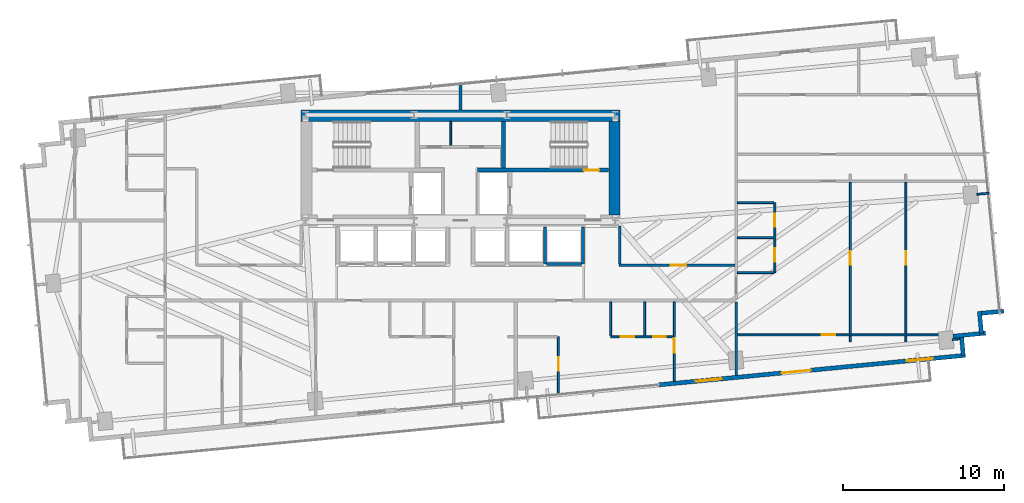
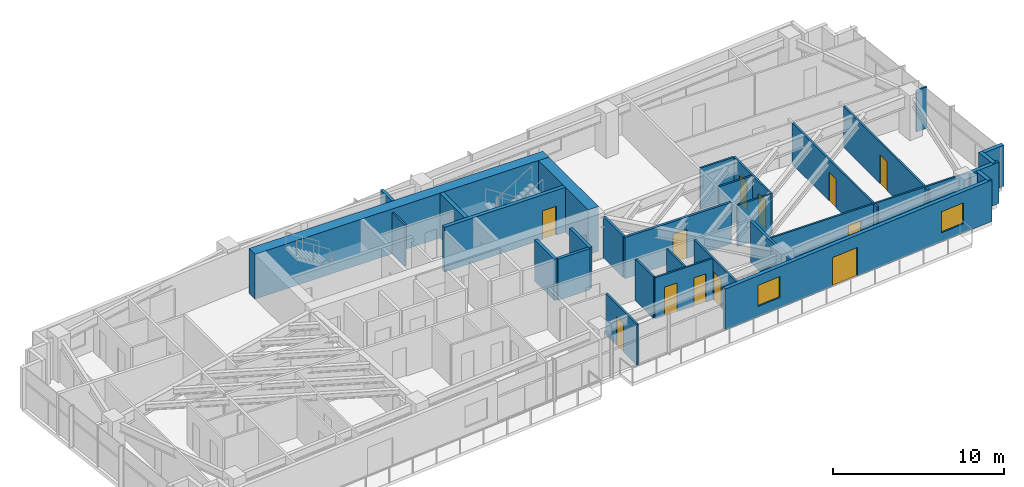
# One storey, part 23 of 27: 33 walls, 12 doors, 2 windows, 14 openings.
"""IFC4 building model written with IfcOpenShell, lengths in metres."""

from ifc_helpers import new_model, si_unit, direction, frame, frame_2d, origin, place, context, subcontext, project, spatial, rectangle, extrude, source, transform, mapped, material, layer, layer_set, type_object, type_shapes, element, fill, save


model = new_model("IFC4")

# Units and contexts
model_context = context("Model", 3, precision=1e-05, world=origin(), true_north=direction((0.0, 1.0)))
body_context = subcontext(model_context, "Body", "Model", "MODEL_VIEW")
ifc_project = project(units=[si_unit("LENGTHUNIT", "METRE"), si_unit("AREAUNIT", "SQUARE_METRE"), si_unit("VOLUMEUNIT", "CUBIC_METRE"), si_unit("PLANEANGLEUNIT", "RADIAN"), si_unit("MASSUNIT", "GRAM", prefix="KILO")], contexts=[model_context])

# Site, building, storey
site_placement = place(None, origin())
site = spatial("IfcSite", under=ifc_project, at=site_placement, CompositionType="ELEMENT")
building_placement = place(site_placement, origin())
building = spatial("IfcBuilding", under=site, at=building_placement, Name="Astriad Promenade Condominiums", CompositionType="ELEMENT")
storey_placement = place(building_placement, frame((0.0, 0.0, 87.39990234375)))
storey = spatial("IfcBuildingStorey", under=building, at=storey_placement, Name="L24", CompositionType="ELEMENT", Elevation=87.39990234375)

# Walls
ifc_material_1 = material(Name="Concrete C60/75", Category="concrete")
ifc_layer_1 = layer(ifc_material_1, 0.699951171875)
ifc_layer_set_1 = layer_set([ifc_layer_1], Name="Concrete C60/75")
wall_type_1 = type_object("IfcWallType", Name="CW-SHEAR-700", PredefinedType="SHEAR", material=ifc_layer_set_1)
wall_1_placement = place(storey_placement, frame((26.10009765625, 23.949951171875, 0.0), z_axis=(0.0, 0.0, 1.0), x_axis=(1.0, 0.0, 0.0)))
element("IfcWall", 1, at=wall_1_placement, inside=storey, type_object=wall_type_1, Name="CW-CORE-N-L24", PredefinedType="SHEAR", context=body_context, shape_type="SweptSolid", body=[
    extrude(rectangle(XDim=19.7998046875, YDim=0.699951171875, at=frame_2d((9.89990234375, 0.0))), origin(), (0.0, 0.0, 1.0), 3.2001953125),
])
wall_2_placement = place(storey_placement, frame((45.550048828125, 17.802001953125, 0.0), z_axis=(0.0, 0.0, 1.0), x_axis=(0.0, 1.0, 0.0)))
element("IfcWall", 2, at=wall_2_placement, inside=storey, type_object=wall_type_1, Name="CW-CORE-E-L24", PredefinedType="SHEAR", context=body_context, shape_type="SweptSolid", body=[
    extrude(rectangle(XDim=5.7958984375, YDim=0.699951171875, at=frame_2d((2.89794921875, 0.0))), origin(), (0.0, 0.0, 1.0), 3.2001953125),
])

# Wall, opening, door
ifc_material_2 = material(Name="Concrete C50/60", Category="concrete")
ifc_layer_2 = layer(ifc_material_2, 0.25)
ifc_layer_set_2 = layer_set([ifc_layer_2], Name="Concrete C50/60")
wall_type_2 = type_object("IfcWallType", Name="WALL-CORE-INT-250", PredefinedType="SOLIDWALL", material=ifc_layer_set_2)
wall_3_placement = place(storey_placement, frame((37.050048828125, 20.574951171875, 0.0), z_axis=(0.0, 0.0, 1.0), x_axis=(1.0, 0.0, 0.0)))
wall_3 = element("IfcWall", 3, at=wall_3_placement, inside=storey, type_object=wall_type_2, Name="CW-INT-H2-L24", PredefinedType="SOLIDWALL", context=body_context, shape_type="SweptSolid", body=[
    extrude(rectangle(XDim=8.14794921875, YDim=0.25, at=frame_2d((4.073974609375, 0.0))), origin(), (0.0, 0.0, 1.0), 3.2001953125),
])
opening_1_placement = place(wall_3_placement, frame((6.60009765625, 0.0, 0.0)))
opening_1 = element("IfcOpeningElement", 4, at=opening_1_placement, cuts=wall_3, Name="Opening FD90-ST-095", PredefinedType="OPENING", context=body_context, shape_type="SweptSolid", body=[
    extrude(rectangle(XDim=0.949951171875, YDim=2.06005859375, at=frame_2d((0.47509765625, 1.030029296875))), frame((0.0, 0.135009765625, 0.0), z_axis=(0.0, -1.0, 0.0), x_axis=(1.0, 0.0, 0.0)), (0.0, 0.0, 1.0), 0.27001953125),
])
ifc_material_3 = material(Name="Fire-Rated Hollow Metal Stair Door")
door_type_1 = type_object("IfcDoorType", Name="FD90-ST-095", OperationType="NOTDEFINED", PredefinedType="DOOR", material=ifc_material_3)
shared_shape_1 = source(origin(), body_context, "Body", "SweptSolid", [
    extrude(rectangle(XDim=0.949951171875, YDim=2.06005859375, at=frame_2d((0.47509765625, 1.030029296875))), frame((0.0, 0.02490234375, 0.0), z_axis=(0.0, -1.0, 0.0), x_axis=(1.0, 0.0, 0.0)), (0.0, 0.0, 1.0), 0.050048828125),
])
type_shapes(door_type_1, [shared_shape_1])
door_1_placement = place(opening_1_placement, origin())
door_1 = element("IfcDoor", 5, at=door_1_placement, inside=storey, type_object=door_type_1, Name="D-ST2-L24", OperationType="SINGLE_SWING_LEFT", OverallHeight=2.06005859375, OverallWidth=0.949951171875, PredefinedType="DOOR", context=body_context, shape_type="MappedRepresentation", body=[
    mapped(shared_shape_1, transform((0.0, 0.0, 0.0), scale=1.0)),
])
fill(opening_1, door_1)

# Walls
wall_4_placement = place(storey_placement, frame((38.675048828125, 20.701904296875, 0.0), z_axis=(0.0, 0.0, 1.0), x_axis=(0.0, 1.0, 0.0)))
element("IfcWall", 6, at=wall_4_placement, inside=storey, type_object=wall_type_2, Name="CW-ST2-W-L24", PredefinedType="SOLIDWALL", context=body_context, shape_type="SweptSolid", body=[
    extrude(rectangle(XDim=2.89599609375, YDim=0.25, at=frame_2d((1.447998046875, 0.0))), origin(), (0.0, 0.0, 1.0), 3.2001953125),
])
ifc_material_4 = material(Name="Fire-Rated Gypsum Partition")
ifc_layer_3 = layer(ifc_material_4, 0.159912109375)
ifc_layer_set_3 = layer_set([ifc_layer_3], Name="Fire-Rated Gypsum Partition")
wall_type_3 = type_object("IfcWallType", Name="WALL-CORR-160", PredefinedType="PARTITIONING", material=ifc_layer_set_3)
wall_5_placement = place(storey_placement, frame((53.10009765625, 7.85546875, 0.0), z_axis=(0.0, 0.0, 1.0), x_axis=(0.0, 1.0, 0.0)))
element("IfcWall", 7, at=wall_5_placement, inside=storey, type_object=wall_type_3, Name="PT-COR-E-L24", PredefinedType="PARTITIONING", context=body_context, shape_type="SweptSolid", body=[
    extrude(rectangle(XDim=4.552490234375, YDim=0.159912109375, at=frame_2d((2.2763671875, 0.0))), origin(), (0.0, 0.0, 1.0), 2.940185546875),
])

# Wall, opening, door
wall_6_placement = place(storey_placement, frame((45.840087890625, 14.679931640625, 0.0), z_axis=(0.0, 0.0, 1.0), x_axis=(1.0, 0.0, 0.0)))
wall_6 = element("IfcWall", 8, at=wall_6_placement, inside=storey, type_object=wall_type_3, Name="PT-FLK-NE-L24", PredefinedType="PARTITIONING", context=body_context, shape_type="SweptSolid", body=[
    extrude(rectangle(XDim=7.177978515625, YDim=0.159912109375, at=frame_2d((3.5888671875, 0.0))), origin(), (0.0, 0.0, 1.0), 2.940185546875),
])
opening_2_placement = place(wall_6_placement, frame((3.215087890625, 0.0, 0.0)))
opening_2 = element("IfcOpeningElement", 9, at=opening_2_placement, cuts=wall_6, Name="Opening FD60-APT-095", PredefinedType="OPENING", context=body_context, shape_type="SweptSolid", body=[
    extrude(rectangle(XDim=0.949951171875, YDim=2.06005859375, at=frame_2d((0.47509765625, 1.030029296875))), frame((0.0, 0.08984375, 0.0), z_axis=(0.0, -1.0, 0.0), x_axis=(1.0, 0.0, 0.0)), (0.0, 0.0, 1.0), 0.179931640625),
])
ifc_material_5 = material(Name="Solid-Core Acoustic Timber Residence Entry Door", Category="wood")
door_type_2 = type_object("IfcDoorType", Name="FD60-APT-095", OperationType="NOTDEFINED", PredefinedType="DOOR", material=ifc_material_5)
shared_shape_2 = source(origin(), body_context, "Body", "SweptSolid", [
    extrude(rectangle(XDim=0.949951171875, YDim=2.06005859375, at=frame_2d((0.47509765625, 1.030029296875))), frame((0.0, 0.02490234375, 0.0), z_axis=(0.0, -1.0, 0.0), x_axis=(1.0, 0.0, 0.0)), (0.0, 0.0, 1.0), 0.050048828125),
])
type_shapes(door_type_2, [shared_shape_2])
door_2_placement = place(opening_2_placement, origin())
door_2 = element("IfcDoor", 10, at=door_2_placement, inside=storey, type_object=door_type_2, Name="D-NEA-L24", OperationType="SINGLE_SWING_LEFT", OverallHeight=2.06005859375, OverallWidth=0.949951171875, PredefinedType="DOOR", context=body_context, shape_type="MappedRepresentation", body=[
    mapped(shared_shape_2, transform((0.0, 0.0, 0.0), scale=1.0)),
])
fill(opening_2, door_2)

# Walls
wall_7_placement = place(storey_placement, frame((45.8798828125, 14.761962890625, 0.0), z_axis=(0.0, 0.0, 1.0), x_axis=(0.0, 1.0, 0.0)))
element("IfcWall", 11, at=wall_7_placement, inside=storey, type_object=wall_type_3, Name="PT-ESPUR-E-L24", PredefinedType="PARTITIONING", context=body_context, shape_type="SweptSolid", body=[
    extrude(rectangle(XDim=2.3359375, YDim=0.159912109375, at=frame_2d((1.16796875, 0.0))), origin(), (0.0, 0.0, 1.0), 2.940185546875),
])
ifc_material_6 = material(Name="Acoustic Double-Stud Gypsum Partition")
ifc_layer_4 = layer(ifc_material_6, 0.199951171875)
ifc_layer_set_4 = layer_set([ifc_layer_4], Name="Acoustic Double-Stud Gypsum Partition")
wall_type_4 = type_object("IfcWallType", Name="WALL-DEMISING-200", PredefinedType="PARTITIONING", material=ifc_layer_set_4)
wall_8_placement = place(storey_placement, frame((36.0, 24.302001953125, 0.0), z_axis=(0.0, 0.0, 1.0), x_axis=(0.0, 1.0, 0.0)))
element("IfcWall", 12, at=wall_8_placement, inside=storey, type_object=wall_type_4, Name="PT-NC-MID-L24", PredefinedType="PARTITIONING", context=body_context, shape_type="SweptSolid", body=[
    extrude(rectangle(XDim=1.65576171875, YDim=0.199951171875, at=frame_2d((0.827880859375, 0.0))), origin(), (0.0, 0.0, 1.0), 2.940185546875),
])
ifc_material_7 = material(Name="Precast concrete C50/60", Category="concrete")
ifc_layer_5 = layer(ifc_material_7, 0.260009765625)
ifc_layer_set_5 = layer_set([ifc_layer_5], Name="Precast concrete C50/60")
wall_type_5 = type_object("IfcWallType", Name="WALL-EXT-TWR-260", PredefinedType="STANDARD", material=ifc_layer_set_5)
for number, where, z_axis, x_axis, name in (
    (13, (69.698486328125, 11.83251953125, 0.0), (0.0, 0.0, 1.0), (-0.99540614245, -0.095742423056, 0.0), "W-SER-L24-14"),
    (14, (68.18310546875, 11.817138671875, 0.0), (0.0, 0.0, 1.0), (0.095915846097, -0.995389446633, 0.0), "W-SER-L24-15"),
):
    element("IfcWall", number, at=place(storey_placement, frame(where, z_axis=z_axis, x_axis=x_axis)), inside=storey, type_object=wall_type_5, Name=name, PredefinedType="STANDARD", context=body_context, shape_type="SweptSolid", body=[
        extrude(rectangle(XDim=1.394775390625, YDim=0.260009765625, at=frame_2d((0.697265625, 0.0))), origin(), (0.0, 0.0, 1.0), 2.940185546875),
    ])
wall_9_placement = place(storey_placement, frame((68.57421875, 10.468505859375, 0.0), z_axis=(0.0, 0.0, 1.0), x_axis=(-0.99539865733, -0.095820211783, 0.0)))
element("IfcWall", 15, at=wall_9_placement, inside=storey, type_object=wall_type_5, Name="W-SER-L24-16", PredefinedType="STANDARD", context=body_context, shape_type="SweptSolid", body=[
    extrude(rectangle(XDim=2.028076171875, YDim=0.260009765625, at=frame_2d((1.01416015625, 0.0))), origin(), (0.0, 0.0, 1.0), 2.940185546875),
])
wall_10_placement = place(storey_placement, frame((67.082275390625, 10.209228515625, 0.0), z_axis=(0.0, 0.0, 1.0), x_axis=(0.09576095695, -0.995404359607, 0.0)))
element("IfcWall", 16, at=wall_10_placement, inside=storey, type_object=wall_type_5, Name="W-SER-L24-17", PredefinedType="STANDARD", context=body_context, shape_type="SweptSolid", body=[
    extrude(rectangle(XDim=1.14990234375, YDim=0.260009765625, at=frame_2d((0.574951171875, 0.0))), origin(), (0.0, 0.0, 1.0), 2.940185546875),
])

# Wall, openings, door, windows
wall_11_placement = place(storey_placement, frame((67.3203125, 9.092041015625, 0.0), z_axis=(0.0, 0.0, 1.0), x_axis=(-0.995396521236, -0.095842399342, 0.0)))
wall_11 = element("IfcWall", 17, at=wall_11_placement, inside=storey, type_object=wall_type_5, Name="W-EXT-L24-S1", PredefinedType="STANDARD", context=body_context, shape_type="SweptSolid", body=[
    extrude(rectangle(XDim=19.10986328125, YDim=0.260009765625, at=frame_2d((9.554931640625, 0.0))), origin(), (0.0, 0.0, 1.0), 2.940185546875),
])
opening_3_placement = place(wall_11_placement, frame((9.65087890625, 0.0, 0.0)))
opening_3 = element("IfcOpeningElement", 18, at=opening_3_placement, cuts=wall_11, Name="Opening BD-1822-SLD", PredefinedType="OPENING", context=body_context, shape_type="SweptSolid", body=[
    extrude(rectangle(XDim=1.800048828125, YDim=2.06005859375, at=frame_2d((0.89990234375, 1.030029296875))), frame((0.0, 0.139892578125, 0.0), z_axis=(0.0, -1.0, 0.0), x_axis=(1.0, 0.0, 0.0)), (0.0, 0.0, 1.0), 0.280029296875),
])
opening_4_placement = place(wall_11_placement, frame((2.050048828125, 0.0, 0.64990234375)))
opening_4 = element("IfcOpeningElement", 19, at=opening_4_placement, cuts=wall_11, Name="Opening WIN-TWR-1620", PredefinedType="OPENING", context=body_context, shape_type="SweptSolid", body=[
    extrude(rectangle(XDim=1.60009765625, YDim=1.5, at=frame_2d((0.800048828125, 0.75))), frame((0.0, 0.139892578125, 0.0), z_axis=(0.0, -1.0, 0.0), x_axis=(1.0, 0.0, 0.0)), (0.0, 0.0, 1.0), 0.280029296875),
])
opening_5_placement = place(wall_11_placement, frame((15.197998046875, 0.0, 0.75)))
opening_5 = element("IfcOpeningElement", 20, at=opening_5_placement, cuts=wall_11, Name="Opening WIN-TWR-1620", PredefinedType="OPENING", context=body_context, shape_type="SweptSolid", body=[
    extrude(rectangle(XDim=1.60009765625, YDim=1.5, at=frame_2d((0.800048828125, 0.75))), frame((0.0, 0.139892578125, 0.0), z_axis=(0.0, -1.0, 0.0), x_axis=(1.0, 0.0, 0.0)), (0.0, 0.0, 1.0), 0.280029296875),
])
ifc_material_8 = material(Name="Thermally Broken Aluminium Sliding Balcony Door", Category="aluminium")
door_type_3 = type_object("IfcDoorType", Name="BD-1822-SLD", OperationType="NOTDEFINED", PredefinedType="DOOR", material=ifc_material_8)
shared_shape_3 = source(origin(), body_context, "Body", "SweptSolid", [
    extrude(rectangle(XDim=1.800048828125, YDim=2.06005859375, at=frame_2d((0.89990234375, 1.030029296875))), frame((0.0, 0.02490234375, 0.0), z_axis=(0.0, -1.0, 0.0), x_axis=(1.0, 0.0, 0.0)), (0.0, 0.0, 1.0), 0.050048828125),
])
type_shapes(door_type_3, [shared_shape_3])
door_3_placement = place(opening_3_placement, origin())
door_3 = element("IfcDoor", 21, at=door_3_placement, inside=storey, type_object=door_type_3, Name="BD-L24-SE", OperationType="SLIDING_TO_RIGHT", OverallHeight=2.06005859375, OverallWidth=1.800048828125, PredefinedType="DOOR", context=body_context, shape_type="MappedRepresentation", body=[
    mapped(shared_shape_3, transform((0.0, 0.0, 0.0), scale=1.0)),
])
fill(opening_3, door_3)
ifc_material_9 = material(Name="Dark Tinted Triple-Glazed Aluminium Window", Category="aluminium")
window_type = type_object("IfcWindowType", Name="WIN-TWR-1620", PartitioningType="SINGLE_PANEL", PredefinedType="WINDOW", material=ifc_material_9)
shared_shape_4 = source(origin(), body_context, "Body", "SweptSolid", [
    extrude(rectangle(XDim=1.60009765625, YDim=1.5, at=frame_2d((0.800048828125, 0.75))), frame((0.0, 0.030029296875, 0.0), z_axis=(0.0, -1.0, 0.0), x_axis=(1.0, 0.0, 0.0)), (0.0, 0.0, 1.0), 0.06005859375),
])
type_shapes(window_type, [shared_shape_4])
window_1_placement = place(opening_4_placement, origin())
window_1 = element("IfcWindow", 22, at=window_1_placement, inside=storey, type_object=window_type, Name="WIN-L24-SE", OverallHeight=1.5, OverallWidth=1.60009765625, PartitioningType="SINGLE_PANEL", PredefinedType="WINDOW", context=body_context, shape_type="MappedRepresentation", body=[
    mapped(shared_shape_4, transform((0.0, 0.0, 0.0), scale=1.0)),
])
fill(opening_4, window_1)
window_2_placement = place(opening_5_placement, origin())
window_2 = element("IfcWindow", 23, at=window_2_placement, inside=storey, type_object=window_type, Name="WIN-DW-L24-S2-BD1", OverallHeight=1.5, OverallWidth=1.60009765625, PartitioningType="SINGLE_PANEL", PredefinedType="WINDOW", context=body_context, shape_type="MappedRepresentation", body=[
    mapped(shared_shape_4, transform((0.0, 0.0, 0.0), scale=1.0)),
])
fill(opening_5, window_2)

# Wall
ifc_material_10 = material(Name="Acoustic Metal-Stud Gypsum Partition")
ifc_layer_6 = layer(ifc_material_10, 0.1201171875)
ifc_layer_set_6 = layer_set([ifc_layer_6], Name="Acoustic Metal-Stud Gypsum Partition")
wall_type_6 = type_object("IfcWallType", Name="WALL-PART-120", PredefinedType="PARTITIONING", material=ifc_layer_set_6)
wall_12_placement = place(storey_placement, frame((35.39990234375, 22.112060546875, 0.0), z_axis=(0.0, 0.0, 1.0), x_axis=(0.0, 1.0, 0.0)))
element("IfcWall", 24, at=wall_12_placement, inside=storey, type_object=wall_type_6, Name="CW-AUX-V1-L24", PredefinedType="PARTITIONING", context=body_context, shape_type="SweptSolid", body=[
    extrude(rectangle(XDim=1.48583984375, YDim=0.1201171875, at=frame_2d((0.742919921875, 0.0))), origin(), (0.0, 0.0, 1.0), 2.940185546875),
])

# Wall, opening, door
wall_13_placement = place(storey_placement, frame((49.27001953125, 7.486572265625, 0.0), z_axis=(0.0, 0.0, 1.0), x_axis=(0.0, 1.0, 0.0)))
wall_13 = element("IfcWall", 25, at=wall_13_placement, inside=storey, type_object=wall_type_6, Name="PT-L24-S2-BD1", PredefinedType="PARTITIONING", context=body_context, shape_type="SweptSolid", body=[
    extrude(rectangle(XDim=4.92138671875, YDim=0.1201171875, at=frame_2d((2.460693359375, 0.0))), origin(), (0.0, 0.0, 1.0), 2.940185546875),
])
opening_6_placement = place(wall_13_placement, frame((1.75244140625, 0.0, 0.0)))
opening_6 = element("IfcOpeningElement", 26, at=opening_6_placement, cuts=wall_13, Name="Opening D-INT-090", PredefinedType="OPENING", context=body_context, shape_type="SweptSolid", body=[
    extrude(rectangle(XDim=0.89990234375, YDim=2.050048828125, at=frame_2d((0.449951171875, 1.02490234375))), frame((0.0, 0.070068359375, 0.0), z_axis=(0.0, -1.0, 0.0), x_axis=(1.0, 0.0, 0.0)), (0.0, 0.0, 1.0), 0.14013671875),
])
ifc_material_11 = material(Name="Painted Solid-Core Timber Bedroom Door", Category="wood")
door_type_4 = type_object("IfcDoorType", Name="D-INT-090", OperationType="NOTDEFINED", PredefinedType="DOOR", material=ifc_material_11)
shared_shape_5 = source(origin(), body_context, "Body", "SweptSolid", [
    extrude(rectangle(XDim=0.89990234375, YDim=2.050048828125, at=frame_2d((0.449951171875, 1.02490234375))), frame((0.0, 0.02490234375, 0.0), z_axis=(0.0, -1.0, 0.0), x_axis=(1.0, 0.0, 0.0)), (0.0, 0.0, 1.0), 0.050048828125),
])
type_shapes(door_type_4, [shared_shape_5])
door_4_placement = place(opening_6_placement, origin())
door_4 = element("IfcDoor", 27, at=door_4_placement, inside=storey, type_object=door_type_4, Name="D-BD1-L24-S2", OperationType="SINGLE_SWING_LEFT", OverallHeight=2.050048828125, OverallWidth=0.89990234375, PredefinedType="DOOR", context=body_context, shape_type="MappedRepresentation", body=[
    mapped(shared_shape_5, transform((0.0, 0.0, 0.0), scale=1.0)),
])
fill(opening_6, door_4)

# Wall, openings, doors
wall_14_placement = place(storey_placement, frame((45.320068359375, 10.239990234375, 0.0), z_axis=(0.0, 0.0, 1.0), x_axis=(1.0, 0.0, 0.0)))
wall_14 = element("IfcWall", 28, at=wall_14_placement, inside=storey, type_object=wall_type_6, Name="PT-L24-S2-PS", PredefinedType="PARTITIONING", context=body_context, shape_type="SweptSolid", body=[
    extrude(rectangle(XDim=3.887939453125, YDim=0.1201171875, at=frame_2d((1.94384765625, 0.0))), origin(), (0.0, 0.0, 1.0), 2.940185546875),
])
opening_7_placement = place(wall_14_placement, frame((0.625, 0.0, 0.0)))
opening_7 = element("IfcOpeningElement", 29, at=opening_7_placement, cuts=wall_14, Name="Opening D-INT-085", PredefinedType="OPENING", context=body_context, shape_type="SweptSolid", body=[
    extrude(rectangle(XDim=0.85009765625, YDim=2.050048828125, at=frame_2d((0.425048828125, 1.02490234375))), frame((0.0, 0.070068359375, 0.0), z_axis=(0.0, -1.0, 0.0), x_axis=(1.0, 0.0, 0.0)), (0.0, 0.0, 1.0), 0.14013671875),
])
opening_8_placement = place(wall_14_placement, frame((2.625, 0.0, 0.0)))
opening_8 = element("IfcOpeningElement", 30, at=opening_8_placement, cuts=wall_14, Name="Opening D-WET-080", PredefinedType="OPENING", context=body_context, shape_type="SweptSolid", body=[
    extrude(rectangle(XDim=0.800048828125, YDim=2.02001953125, at=frame_2d((0.39990234375, 1.010009765625))), frame((0.0, 0.070068359375, 0.0), z_axis=(0.0, -1.0, 0.0), x_axis=(1.0, 0.0, 0.0)), (0.0, 0.0, 1.0), 0.14013671875),
])
ifc_material_12 = material(Name="Moisture-Resistant Timber Bathroom Door", Category="wood")
door_type_5 = type_object("IfcDoorType", Name="D-WET-080", OperationType="NOTDEFINED", PredefinedType="DOOR", material=ifc_material_12)
shared_shape_6 = source(origin(), body_context, "Body", "SweptSolid", [
    extrude(rectangle(XDim=0.800048828125, YDim=2.02001953125, at=frame_2d((0.39990234375, 1.010009765625))), frame((0.0, 0.02490234375, 0.0), z_axis=(0.0, -1.0, 0.0), x_axis=(1.0, 0.0, 0.0)), (0.0, 0.0, 1.0), 0.050048828125),
])
type_shapes(door_type_5, [shared_shape_6])
door_5_placement = place(opening_8_placement, origin())
door_5 = element("IfcDoor", 31, at=door_5_placement, inside=storey, type_object=door_type_5, Name="D-BTH-L24-S2", OperationType="SINGLE_SWING_LEFT", OverallHeight=2.02001953125, OverallWidth=0.800048828125, PredefinedType="DOOR", context=body_context, shape_type="MappedRepresentation", body=[
    mapped(shared_shape_6, transform((0.0, 0.0, 0.0), scale=1.0)),
])
fill(opening_8, door_5)
ifc_material_13 = material(Name="Painted Solid-Core Timber Room Door", Category="wood")
door_type_6 = type_object("IfcDoorType", Name="D-INT-085", OperationType="NOTDEFINED", PredefinedType="DOOR", material=ifc_material_13)
shared_shape_7 = source(origin(), body_context, "Body", "SweptSolid", [
    extrude(rectangle(XDim=0.85009765625, YDim=2.050048828125, at=frame_2d((0.425048828125, 1.02490234375))), frame((0.0, 0.02490234375, 0.0), z_axis=(0.0, -1.0, 0.0), x_axis=(1.0, 0.0, 0.0)), (0.0, 0.0, 1.0), 0.050048828125),
])
type_shapes(door_type_6, [shared_shape_7])
door_6_placement = place(opening_7_placement, origin())
door_6 = element("IfcDoor", 32, at=door_6_placement, inside=storey, type_object=door_type_6, Name="D-KIT-L24-S2", OperationType="SINGLE_SWING_RIGHT", OverallHeight=2.050048828125, OverallWidth=0.85009765625, PredefinedType="DOOR", context=body_context, shape_type="MappedRepresentation", body=[
    mapped(shared_shape_7, transform((0.0, 0.0, 0.0), scale=1.0)),
])
fill(opening_7, door_6)

# Walls
for number, where, z_axis, x_axis, name in (
    (33, (47.419921875, 10.302001953125, 0.0), (0.0, 0.0, 1.0), (0.0, 1.0, 0.0), "PT-L24-S2-PBK"),
    (34, (45.320068359375, 10.302001953125, 0.0), (0.0, 0.0, 1.0), (0.0, 1.0, 0.0), "PT-L24-S2-PKW"),
):
    element("IfcWall", number, at=place(storey_placement, frame(where, z_axis=z_axis, x_axis=x_axis)), inside=storey, type_object=wall_type_6, Name=name, PredefinedType="PARTITIONING", context=body_context, shape_type="SweptSolid", body=[
        extrude(rectangle(XDim=2.10595703125, YDim=0.1201171875, at=frame_2d((1.052978515625, 0.0))), origin(), (0.0, 0.0, 1.0), 2.940185546875),
    ])

# Wall, opening, door
wall_15_placement = place(storey_placement, frame((42.077880859375, 6.611083984375, 0.0), z_axis=(0.0, 0.0, 1.0), x_axis=(0.0, 1.0, 0.0)))
wall_15 = element("IfcWall", 35, at=wall_15_placement, inside=storey, type_object=wall_type_6, Name="PT-L24-S2-EXV", PredefinedType="PARTITIONING", context=body_context, shape_type="SweptSolid", body=[
    extrude(rectangle(XDim=3.62890625, YDim=0.1201171875, at=frame_2d((1.814453125, 0.0))), origin(), (0.0, 0.0, 1.0), 2.940185546875),
])
opening_9_placement = place(wall_15_placement, frame((1.52685546875, 0.0, 0.0)))
opening_9 = element("IfcOpeningElement", 36, at=opening_9_placement, cuts=wall_15, Name="Opening D-INT-085", PredefinedType="OPENING", context=body_context, shape_type="SweptSolid", body=[
    extrude(rectangle(XDim=0.85009765625, YDim=2.050048828125, at=frame_2d((0.425048828125, 1.02490234375))), frame((0.0, 0.070068359375, 0.0), z_axis=(0.0, -1.0, 0.0), x_axis=(1.0, 0.0, 0.0)), (0.0, 0.0, 1.0), 0.14013671875),
])
door_7_placement = place(opening_9_placement, origin())
door_7 = element("IfcDoor", 37, at=door_7_placement, inside=storey, type_object=door_type_6, Name="D-EX-L24-S2", OperationType="SINGLE_SWING_LEFT", OverallHeight=2.050048828125, OverallWidth=0.85009765625, PredefinedType="DOOR", context=body_context, shape_type="MappedRepresentation", body=[
    mapped(shared_shape_7, transform((0.0, 0.0, 0.0), scale=1.0)),
])
fill(opening_9, door_7)

# Wall, openings, doors
wall_16_placement = place(storey_placement, frame((55.5, 14.217041015625, 0.0), z_axis=(0.0, 0.0, 1.0), x_axis=(0.0, 1.0, 0.0)))
wall_16 = element("IfcWall", 38, at=wall_16_placement, inside=storey, type_object=wall_type_6, Name="PT-L24-E1-PV", PredefinedType="PARTITIONING", context=body_context, shape_type="SweptSolid", body=[
    extrude(rectangle(XDim=4.349853515625, YDim=0.1201171875, at=frame_2d((2.1748046875, 0.0))), origin(), (0.0, 0.0, 1.0), 2.940185546875),
])
opening_10_placement = place(wall_16_placement, frame((0.6630859375, 0.0, 0.0)))
opening_10 = element("IfcOpeningElement", 39, at=opening_10_placement, cuts=wall_16, Name="Opening D-INT-085", PredefinedType="OPENING", context=body_context, shape_type="SweptSolid", body=[
    extrude(rectangle(XDim=0.85009765625, YDim=2.050048828125, at=frame_2d((0.425048828125, 1.02490234375))), frame((0.0, 0.070068359375, 0.0), z_axis=(0.0, -1.0, 0.0), x_axis=(1.0, 0.0, 0.0)), (0.0, 0.0, 1.0), 0.14013671875),
])
opening_11_placement = place(wall_16_placement, frame((2.863037109375, 0.0, 0.0)))
opening_11 = element("IfcOpeningElement", 40, at=opening_11_placement, cuts=wall_16, Name="Opening D-WET-080", PredefinedType="OPENING", context=body_context, shape_type="SweptSolid", body=[
    extrude(rectangle(XDim=0.800048828125, YDim=2.02001953125, at=frame_2d((0.39990234375, 1.010009765625))), frame((0.0, 0.070068359375, 0.0), z_axis=(0.0, -1.0, 0.0), x_axis=(1.0, 0.0, 0.0)), (0.0, 0.0, 1.0), 0.14013671875),
])
door_8_placement = place(opening_11_placement, origin())
door_8 = element("IfcDoor", 41, at=door_8_placement, inside=storey, type_object=door_type_5, Name="D-BTH-L24-E1", OperationType="SINGLE_SWING_RIGHT", OverallHeight=2.02001953125, OverallWidth=0.800048828125, PredefinedType="DOOR", context=body_context, shape_type="MappedRepresentation", body=[
    mapped(shared_shape_6, transform((0.0, 0.0, 0.0), scale=1.0)),
])
fill(opening_11, door_8)
door_9_placement = place(opening_10_placement, origin())
door_9 = element("IfcDoor", 42, at=door_9_placement, inside=storey, type_object=door_type_6, Name="D-KIT-L24-E1", OperationType="SINGLE_SWING_LEFT", OverallHeight=2.050048828125, OverallWidth=0.85009765625, PredefinedType="DOOR", context=body_context, shape_type="MappedRepresentation", body=[
    mapped(shared_shape_7, transform((0.0, 0.0, 0.0), scale=1.0)),
])
fill(opening_10, door_9)

# Walls
for number, where, z_axis, x_axis, name in (
    (43, (53.181884765625, 16.39208984375, 0.0), (0.0, 0.0, 1.0), (1.0, 0.0, 0.0), "PT-L24-E1-PM"),
    (44, (53.181884765625, 14.217041015625, 0.0), (0.0, 0.0, 1.0), (1.0, 0.0, 0.0), "PT-L24-E1-PS"),
    (45, (53.181884765625, 18.56689453125, 0.0), (0.0, 0.0, 1.0), (1.0, 0.0, 0.0), "PT-L24-E1-PN"),
):
    element("IfcWall", number, at=place(storey_placement, frame(where, z_axis=z_axis, x_axis=x_axis)), inside=storey, type_object=wall_type_6, Name=name, PredefinedType="PARTITIONING", context=body_context, shape_type="SweptSolid", body=[
        extrude(rectangle(XDim=2.256103515625, YDim=0.1201171875, at=frame_2d((1.1279296875, 0.0))), origin(), (0.0, 0.0, 1.0), 2.940185546875),
    ])

# Wall, opening, door
wall_17_placement = place(storey_placement, frame((53.181884765625, 10.363037109375, 0.0), z_axis=(0.0, 0.0, 1.0), x_axis=(1.0, 0.0, 0.0)))
wall_17 = element("IfcWall", 46, at=wall_17_placement, inside=storey, type_object=wall_type_6, Name="PT-L24-E1-WDS2", PredefinedType="PARTITIONING", context=body_context, shape_type="SweptSolid", body=[
    extrude(rectangle(XDim=13.364990234375, YDim=0.1201171875, at=frame_2d((6.6826171875, 0.0))), origin(), (0.0, 0.0, 1.0), 2.940185546875),
])
opening_12_placement = place(wall_17_placement, frame((5.222900390625, 0.0, 0.0)))
opening_12 = element("IfcOpeningElement", 47, at=opening_12_placement, cuts=wall_17, Name="Opening D-INT-085", PredefinedType="OPENING", context=body_context, shape_type="SweptSolid", body=[
    extrude(rectangle(XDim=0.85009765625, YDim=2.050048828125, at=frame_2d((0.425048828125, 1.02490234375))), frame((0.0, 0.070068359375, 0.0), z_axis=(0.0, -1.0, 0.0), x_axis=(1.0, 0.0, 0.0)), (0.0, 0.0, 1.0), 0.14013671875),
])
door_10_placement = place(opening_12_placement, origin())
door_10 = element("IfcDoor", 48, at=door_10_placement, inside=storey, type_object=door_type_6, Name="D-WDS2-L24-E1", OperationType="SINGLE_SWING_RIGHT", OverallHeight=2.050048828125, OverallWidth=0.85009765625, PredefinedType="DOOR", context=body_context, shape_type="MappedRepresentation", body=[
    mapped(shared_shape_7, transform((0.0, 0.0, 0.0), scale=1.0)),
])
fill(opening_12, door_10)

# Wall
wall_18_placement = place(storey_placement, frame((63.62890625, 9.923095703125, 0.0), z_axis=(0.0, 0.0, 1.0), x_axis=(0.0, 1.0, 0.0)))
element("IfcWall", 49, at=wall_18_placement, inside=storey, type_object=wall_type_6, Name="PT-L24-E1-WDV4", PredefinedType="PARTITIONING", context=body_context, shape_type="SweptSolid", body=[
    extrude(rectangle(XDim=0.3779296875, YDim=0.1201171875, at=frame_2d((0.18896484375, 0.0))), origin(), (0.0, 0.0, 1.0), 2.940185546875),
])

# Wall, opening, door
wall_19_placement = place(storey_placement, frame((63.62890625, 10.425048828125, 0.0), z_axis=(0.0, 0.0, 1.0), x_axis=(0.0, 1.0, 0.0)))
wall_19 = element("IfcWall", 50, at=wall_19_placement, inside=storey, type_object=wall_type_6, Name="PT-L24-E1-WDV4-S2", PredefinedType="PARTITIONING", context=body_context, shape_type="SweptSolid", body=[
    extrude(rectangle(XDim=9.39501953125, YDim=0.1201171875, at=frame_2d((4.697509765625, 0.0))), origin(), (0.0, 0.0, 1.0), 2.940185546875),
])
opening_13_placement = place(wall_19_placement, frame((4.27197265625, 0.0, 0.0)))
opening_13 = element("IfcOpeningElement", 51, at=opening_13_placement, cuts=wall_19, Name="Opening D-INT-085", PredefinedType="OPENING", context=body_context, shape_type="SweptSolid", body=[
    extrude(rectangle(XDim=0.85009765625, YDim=2.050048828125, at=frame_2d((0.425048828125, 1.02490234375))), frame((0.0, 0.070068359375, 0.0), z_axis=(0.0, -1.0, 0.0), x_axis=(1.0, 0.0, 0.0)), (0.0, 0.0, 1.0), 0.14013671875),
])
door_11_placement = place(opening_13_placement, origin())
door_11 = element("IfcDoor", 52, at=door_11_placement, inside=storey, type_object=door_type_6, Name="D-WDV4-L24-E1", OperationType="SINGLE_SWING_RIGHT", OverallHeight=2.050048828125, OverallWidth=0.85009765625, PredefinedType="DOOR", context=body_context, shape_type="MappedRepresentation", body=[
    mapped(shared_shape_7, transform((0.0, 0.0, 0.0), scale=1.0)),
])
fill(opening_13, door_11)

# Wall
wall_20_placement = place(storey_placement, frame((60.179931640625, 9.923095703125, 0.0), z_axis=(0.0, 0.0, 1.0), x_axis=(0.0, 1.0, 0.0)))
element("IfcWall", 53, at=wall_20_placement, inside=storey, type_object=wall_type_6, Name="PT-L24-E1-WDV5", PredefinedType="PARTITIONING", context=body_context, shape_type="SweptSolid", body=[
    extrude(rectangle(XDim=0.3779296875, YDim=0.1201171875, at=frame_2d((0.18896484375, 0.0))), origin(), (0.0, 0.0, 1.0), 2.940185546875),
])

# Wall, opening, door
wall_21_placement = place(storey_placement, frame((60.179931640625, 10.425048828125, 0.0), z_axis=(0.0, 0.0, 1.0), x_axis=(0.0, 1.0, 0.0)))
wall_21 = element("IfcWall", 54, at=wall_21_placement, inside=storey, type_object=wall_type_6, Name="PT-L24-E1-WDV5-S2", PredefinedType="PARTITIONING", context=body_context, shape_type="SweptSolid", body=[
    extrude(rectangle(XDim=9.39501953125, YDim=0.1201171875, at=frame_2d((4.697509765625, 0.0))), origin(), (0.0, 0.0, 1.0), 2.940185546875),
])
opening_14_placement = place(wall_21_placement, frame((4.27197265625, 0.0, 0.0)))
opening_14 = element("IfcOpeningElement", 55, at=opening_14_placement, cuts=wall_21, Name="Opening D-INT-085", PredefinedType="OPENING", context=body_context, shape_type="SweptSolid", body=[
    extrude(rectangle(XDim=0.85009765625, YDim=2.050048828125, at=frame_2d((0.425048828125, 1.02490234375))), frame((0.0, 0.070068359375, 0.0), z_axis=(0.0, -1.0, 0.0), x_axis=(1.0, 0.0, 0.0)), (0.0, 0.0, 1.0), 0.14013671875),
])
door_12_placement = place(opening_14_placement, origin())
door_12 = element("IfcDoor", 56, at=door_12_placement, inside=storey, type_object=door_type_6, Name="D-WDV5-L24-E1", OperationType="SINGLE_SWING_LEFT", OverallHeight=2.050048828125, OverallWidth=0.85009765625, PredefinedType="DOOR", context=body_context, shape_type="MappedRepresentation", body=[
    mapped(shared_shape_7, transform((0.0, 0.0, 0.0), scale=1.0)),
])
fill(opening_14, door_12)

# Walls
wall_22_placement = place(storey_placement, frame((66.5029296875, 10.068115234375, 0.0), z_axis=(0.0, 0.0, 1.0), x_axis=(0.995389482415, 0.095915474751, 0.0)))
element("IfcWall", 57, at=wall_22_placement, inside=storey, type_object=wall_type_6, Name="PT-PIL-L24-PC05-12", PredefinedType="PARTITIONING", context=body_context, shape_type="SweptSolid", body=[
    extrude(rectangle(XDim=0.458251953125, YDim=0.1201171875, at=frame_2d((0.22900390625, 0.0))), origin(), (0.0, 0.0, 1.0), 2.940185546875),
])
wall_23_placement = place(storey_placement, frame((68.026611328125, 19.07568359375, 0.0), z_axis=(0.0, 0.0, 1.0), x_axis=(0.995377786728, 0.096036772582, 0.0)))
element("IfcWall", 58, at=wall_23_placement, inside=storey, type_object=wall_type_6, Name="PT-PIL-L24-PC12-19", PredefinedType="PARTITIONING", context=body_context, shape_type="SweptSolid", body=[
    extrude(rectangle(XDim=0.760009765625, YDim=0.1201171875, at=frame_2d((0.3798828125, 0.0))), origin(), (0.0, 0.0, 1.0), 2.940185546875),
])
ifc_material_14 = material(Name="Gypsum Shaftliner Assembly")
ifc_layer_7 = layer(ifc_material_14, 0.199951171875)
ifc_layer_set_7 = layer_set([ifc_layer_7], Name="Gypsum Shaftliner Assembly")
wall_type_7 = type_object("IfcWallType", Name="WALL-SHAFT-200", PredefinedType="PARTITIONING", material=ifc_layer_set_7)
for number, where, z_axis, x_axis, name in (
    (59, (41.25, 14.75, 0.0), (0.0, 0.0, 1.0), (0.0, 1.0, 0.0), "PL-H-DIV-L24"),
    (60, (43.60009765625, 14.75, 0.0), (0.0, 0.0, 1.0), (0.0, 1.0, 0.0), "PL-E-OUT-L24"),
):
    element("IfcWall", number, at=place(storey_placement, frame(where, z_axis=z_axis, x_axis=x_axis)), inside=storey, type_object=wall_type_7, Name=name, PredefinedType="PARTITIONING", context=body_context, shape_type="SweptSolid", body=[
        extrude(rectangle(XDim=2.300048828125, YDim=0.199951171875, at=frame_2d((1.14990234375, 0.0))), origin(), (0.0, 0.0, 1.0), 2.940185546875),
    ])
wall_24_placement = place(storey_placement, frame((41.35205078125, 14.75, 0.0), z_axis=(0.0, 0.0, 1.0), x_axis=(1.0, 0.0, 0.0)))
element("IfcWall", 61, at=wall_24_placement, inside=storey, type_object=wall_type_7, Name="PL-H-FRT-L24-S2", PredefinedType="PARTITIONING", context=body_context, shape_type="SweptSolid", body=[
    extrude(rectangle(XDim=2.14599609375, YDim=0.199951171875, at=frame_2d((1.072998046875, 0.0))), origin(), (0.0, 0.0, 1.0), 2.940185546875),
])

save(model, "model.ifc")
